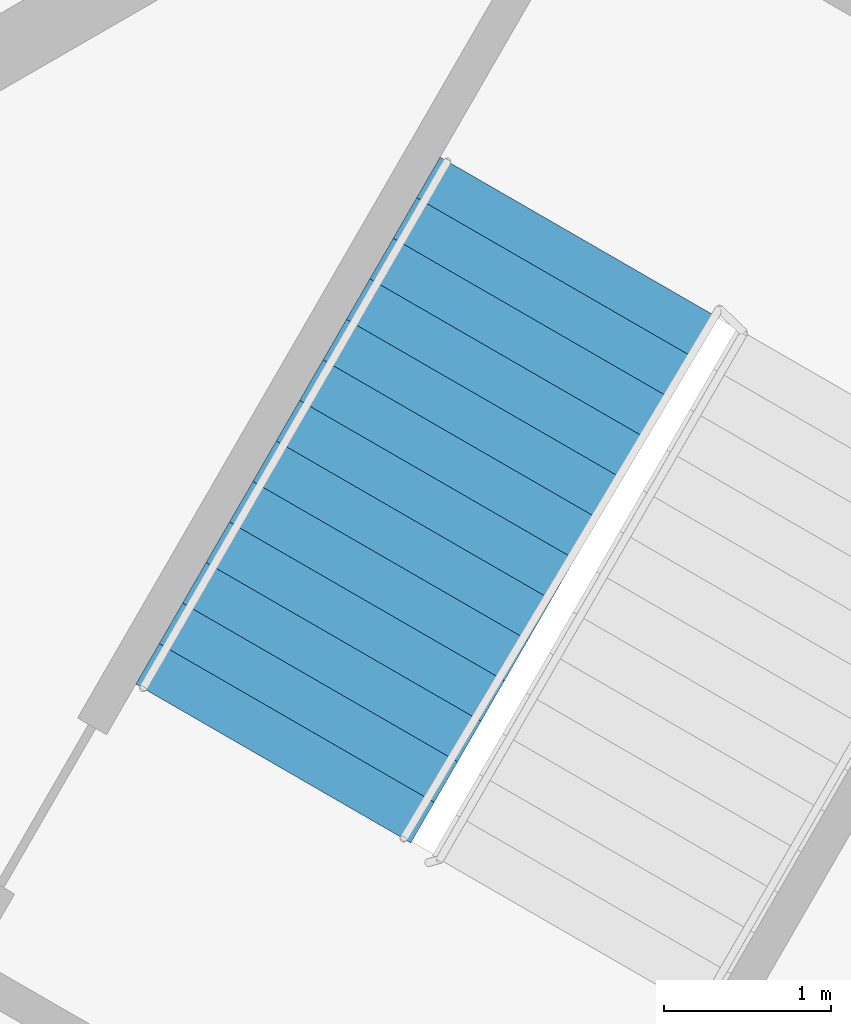
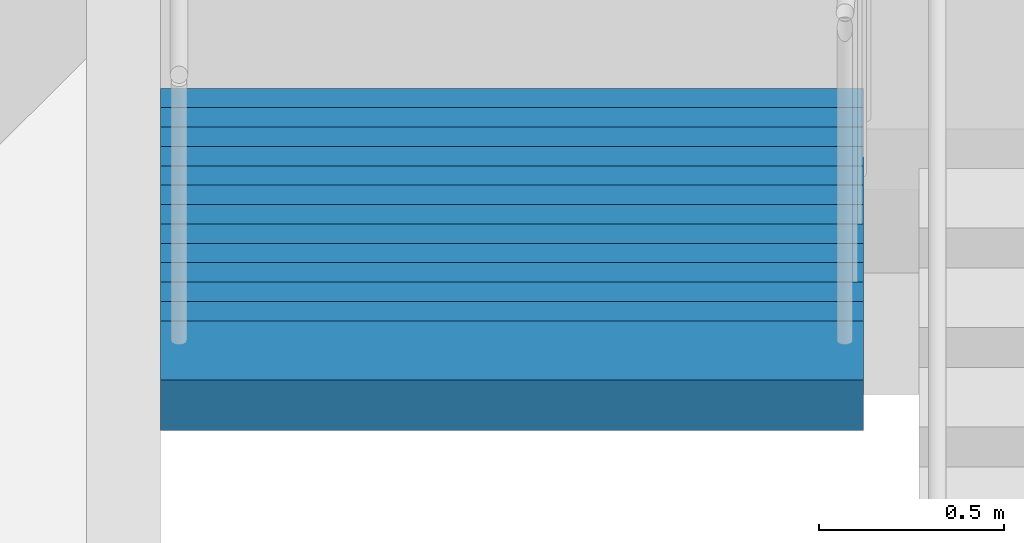
# One storey, part 6 of 9: 1 stair flight, 1 element without a shape of its own.
"""IFC4 building model written with IfcOpenShell, lengths in metres."""

from ifc_helpers import new_model, si_unit, direction, frame, origin, place, context, subcontext, project, spatial, polyline, outline, extrude, material, type_object, element, aggregate, save


model = new_model("IFC4")

# Units and contexts
model_context = context("Model", 3, precision=1e-05, world=origin(), true_north=direction((0.0, 1.0)))
body_context = subcontext(model_context, "Body", "Model", "MODEL_VIEW")
ifc_project = project(units=[si_unit("LENGTHUNIT", "METRE"), si_unit("AREAUNIT", "SQUARE_METRE"), si_unit("VOLUMEUNIT", "CUBIC_METRE"), si_unit("PLANEANGLEUNIT", "RADIAN"), si_unit("MASSUNIT", "GRAM", prefix="KILO")], contexts=[model_context])

# Site, building, storey
site_placement = place(None, origin())
site = spatial("IfcSite", under=ifc_project, at=site_placement, CompositionType="ELEMENT")
building_placement = place(site_placement, origin())
building = spatial("IfcBuilding", under=site, at=building_placement, Name="Jabali Bay Hotel Tower and Convention Centre", CompositionType="ELEMENT")
storey_placement = place(building_placement, frame((0.0, 0.0, 262.699951171875)))
storey = spatial("IfcBuildingStorey", under=building, at=storey_placement, Name="L64", CompositionType="ELEMENT", Elevation=262.699951171875)

# Stair, stair flight
ifc_material = material(Name="Concrete C40", Category="concrete")
stair_type = type_object("IfcStairType", Name="Exit stair 1900", PredefinedType="HALF_TURN_STAIR", material=ifc_material)
stair_placement = place(storey_placement, origin())
stair = element("IfcStair", 1, at=stair_placement, inside=storey, type_object=stair_type, Name="L64 Exit Stair 2", PredefinedType="HALF_TURN_STAIR")
stair_flight_type = type_object("IfcStairFlightType", Name="Stair flight concrete 150", PredefinedType="STRAIGHT", material=ifc_material)
stair_flight_placement = place(storey_placement, frame((85.222412109375, 99.755615234375, 1.85009765625), z_axis=(0.0, 0.0, 1.0), x_axis=(-0.5, -0.866025403784, 0.0)))
stair_flight = element("IfcStairFlight", 2, at=stair_flight_placement, type_object=stair_flight_type, Name="ST2 flight 2", NumberOfRisers=14, NumberOfTreads=13, PredefinedType="STRAIGHT", RiserHeight=0.132142857, TreadLength=0.28, context=body_context, shape_type="SweptSolid", body=[
    extrude(outline(polyline([(0.0, 0.0), (0.0, 0.132080078125), (0.280029296875, 0.132080078125), (0.280029296875, 0.264404296875), (0.56005859375, 0.264404296875), (0.56005859375, 0.396484375), (0.840087890625, 0.396484375), (0.840087890625, 0.528564453125), (1.1201171875, 0.528564453125), (1.1201171875, 0.66064453125), (1.39990234375, 0.66064453125), (1.39990234375, 0.79296875), (1.679931640625, 0.79296875), (1.679931640625, 0.925048828125), (1.9599609375, 0.925048828125), (1.9599609375, 1.05712890625), (2.239990234375, 1.05712890625), (2.239990234375, 1.189208984375), (2.52001953125, 1.189208984375), (2.52001953125, 1.321533203125), (2.800048828125, 1.321533203125), (2.800048828125, 1.45361328125), (3.080078125, 1.45361328125), (3.080078125, 1.585693359375), (3.360107421875, 1.585693359375), (3.360107421875, 1.7177734375), (3.639892578125, 1.7177734375), (3.639892578125, 1.85009765625), (3.639892578125, 1.552001953125), (0.351318359375, 0.0), (0.0, 0.0)])), frame((0.0, 0.949951171875, 0.0), z_axis=(0.0, -1.0, 0.0), x_axis=(1.0, 0.0, 0.0)), (0.0, 0.0, 1.0), 1.89990234375),
])
aggregate(stair, [stair_flight])

save(model, "model.ifc")
